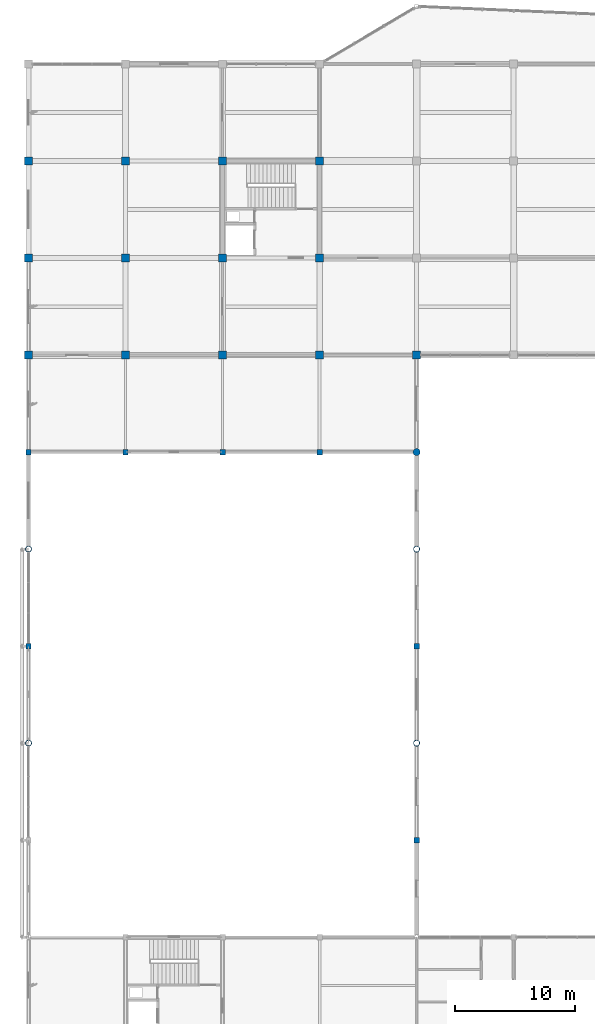
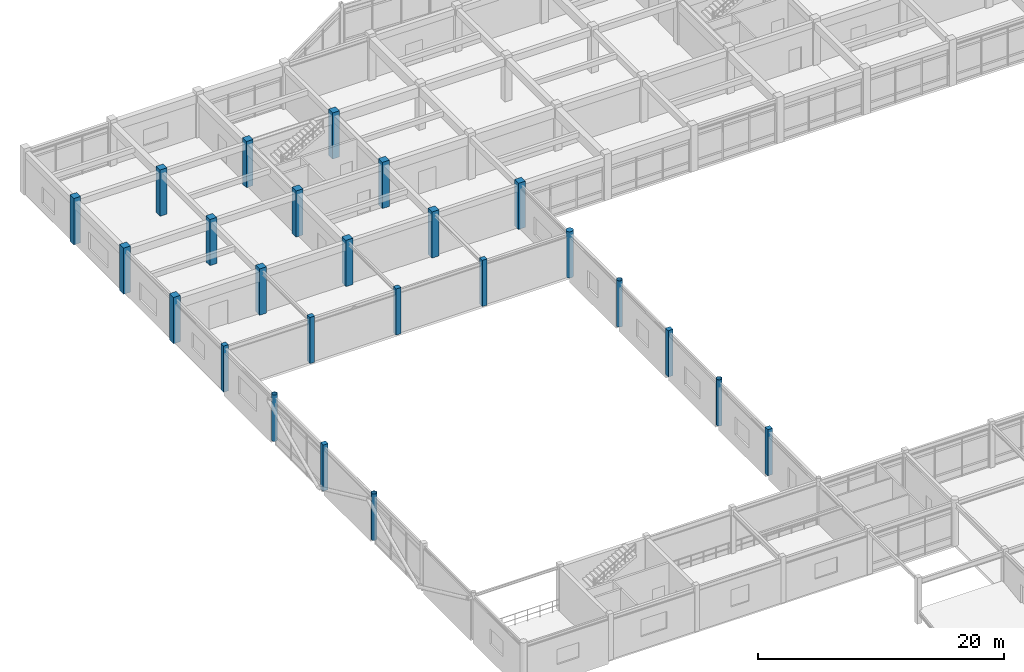
# One storey, part 5 of 93: 25 columns.
"""IFC4 building model written with IfcOpenShell, lengths in metres."""

from ifc_helpers import new_model, si_unit, direction, frame, origin, origin_2d, place, context, subcontext, project, spatial, rectangle, circle, hollow_circle, extrude, material, material_profile, profile_set, type_object, element, save


model = new_model("IFC4")

# Units and contexts
model_context = context("Model", 3, precision=1e-05, world=origin(), true_north=direction((0.0, 1.0)))
body_context = subcontext(model_context, "Body", "Model", "MODEL_VIEW")
ifc_project = project(units=[si_unit("LENGTHUNIT", "METRE"), si_unit("AREAUNIT", "SQUARE_METRE"), si_unit("VOLUMEUNIT", "CUBIC_METRE"), si_unit("PLANEANGLEUNIT", "RADIAN"), si_unit("MASSUNIT", "GRAM", prefix="KILO")], contexts=[model_context])

# Site, building, storey
site_placement = place(None, origin())
site = spatial("IfcSite", under=ifc_project, at=site_placement, CompositionType="ELEMENT")
building_placement = place(site_placement, origin())
building = spatial("IfcBuilding", under=site, at=building_placement, Name="Vaudrelin Polytechnic", CompositionType="ELEMENT")
storey_placement = place(building_placement, frame((0.0, 0.0, 5.10009765625)))
storey = spatial("IfcBuildingStorey", under=building, at=storey_placement, Name="L01", CompositionType="ELEMENT", Elevation=5.10009765625)

# Columns
ifc_material_1 = material(Name="Concrete 40 MPa", Category="concrete")
ifc_material_profile_1 = material_profile(ifc_material_1, rectangle(XDim=0.449951171875, YDim=0.449951171875, at=origin_2d()), Name="RC450x450")
ifc_profile_set_1 = profile_set([ifc_material_profile_1], Name="Concrete 40 MPa")
column_type_1 = type_object("IfcColumnType", Name="COL-C-RC450", PredefinedType="COLUMN", material=ifc_profile_set_1)
for number, where, z_axis, x_axis, name in (
    (1, (0.0, 72.89990234375, 0.0), (0.0, 0.0, 1.0), (1.0, 0.0, 0.0), "Column L01 1-10"),
    (2, (0.0, 89.10009765625, 0.0), (0.0, 0.0, 1.0), (1.0, 0.0, 0.0), "Column L01 1-12"),
    (3, (8.10009765625, 89.10009765625, 0.0), (0.0, 0.0, 1.0), (1.0, 0.0, 0.0), "Column L01 2-12"),
    (4, (16.199951171875, 89.10009765625, 0.0), (0.0, 0.0, 1.0), (1.0, 0.0, 0.0), "Column L01 3-12"),
    (5, (24.300048828125, 89.10009765625, 0.0), (0.0, 0.0, 1.0), (1.0, 0.0, 0.0), "Column L01 4-12"),
    (6, (32.39990234375, 56.699951171875, 0.0), (0.0, 0.0, 1.0), (1.0, 0.0, 0.0), "Column L01 5-8"),
    (7, (32.39990234375, 72.89990234375, 0.0), (0.0, 0.0, 1.0), (1.0, 0.0, 0.0), "Column L01 5-10"),
):
    element("IfcColumn", number, at=place(storey_placement, frame(where, z_axis=z_axis, x_axis=x_axis)), inside=storey, type_object=column_type_1, Name=name, PredefinedType="COLUMN", context=body_context, shape_type="SweptSolid", body=[
        extrude(rectangle(XDim=0.449951171875, YDim=0.449951171875, at=origin_2d()), origin(), (0.0, 0.0, 1.0), 4.58984375),
    ])
ifc_material_profile_2 = material_profile(ifc_material_1, rectangle(XDim=0.64990234375, YDim=0.64990234375, at=origin_2d()), Name="RC650x650")
ifc_profile_set_2 = profile_set([ifc_material_profile_2], Name="Concrete 40 MPa")
column_type_2 = type_object("IfcColumnType", Name="COL-C-RC650", PredefinedType="COLUMN", material=ifc_profile_set_2)
for number, where, z_axis, x_axis, name in (
    (8, (0.0, 97.199951171875, 0.0), (0.0, 0.0, 1.0), (1.0, 0.0, 0.0), "Column L01 1-13"),
    (9, (0.0, 105.300048828125, 0.0), (0.0, 0.0, 1.0), (1.0, 0.0, 0.0), "Column L01 1-14"),
    (10, (0.0, 113.39990234375, 0.0), (0.0, 0.0, 1.0), (1.0, 0.0, 0.0), "Column L01 1-15"),
    (11, (8.10009765625, 97.199951171875, 0.0), (0.0, 0.0, 1.0), (1.0, 0.0, 0.0), "Column L01 2-13"),
    (12, (8.10009765625, 105.300048828125, 0.0), (0.0, 0.0, 1.0), (1.0, 0.0, 0.0), "Column L01 2-14"),
    (13, (8.10009765625, 113.39990234375, 0.0), (0.0, 0.0, 1.0), (1.0, 0.0, 0.0), "Column L01 2-15"),
    (14, (16.199951171875, 97.199951171875, 0.0), (0.0, 0.0, 1.0), (1.0, 0.0, 0.0), "Column L01 3-13"),
    (15, (16.199951171875, 105.300048828125, 0.0), (0.0, 0.0, 1.0), (1.0, 0.0, 0.0), "Column L01 3-14"),
    (16, (16.199951171875, 113.39990234375, 0.0), (0.0, 0.0, 1.0), (1.0, 0.0, 0.0), "Column L01 3-15"),
    (17, (24.300048828125, 97.199951171875, 0.0), (0.0, 0.0, 1.0), (1.0, 0.0, 0.0), "Column L01 4-13"),
    (18, (24.300048828125, 105.300048828125, 0.0), (0.0, 0.0, 1.0), (1.0, 0.0, 0.0), "Column L01 4-14"),
    (19, (24.300048828125, 113.39990234375, 0.0), (0.0, 0.0, 1.0), (1.0, 0.0, 0.0), "Column L01 4-15"),
    (20, (32.39990234375, 97.199951171875, 0.0), (0.0, 0.0, 1.0), (1.0, 0.0, 0.0), "Column L01 5-13"),
):
    element("IfcColumn", number, at=place(storey_placement, frame(where, z_axis=z_axis, x_axis=x_axis)), inside=storey, type_object=column_type_2, Name=name, PredefinedType="COLUMN", context=body_context, shape_type="SweptSolid", body=[
        extrude(rectangle(XDim=0.64990234375, YDim=0.64990234375, at=origin_2d()), origin(), (0.0, 0.0, 1.0), 4.58984375),
    ])
ifc_material_profile_3 = material_profile(ifc_material_1, circle(Radius=0.300048828125, at=origin_2d()), Name="RCCOL600")
ifc_profile_set_3 = profile_set([ifc_material_profile_3], Name="Concrete 40 MPa")
column_type_3 = type_object("IfcColumnType", Name="COL-C-RCD600", PredefinedType="COLUMN", material=ifc_profile_set_3)
column_placement = place(storey_placement, frame((32.39990234375, 89.10009765625, 0.0), z_axis=(0.0, 0.0, 1.0), x_axis=(1.0, 0.0, 0.0)))
element("IfcColumn", 21, at=column_placement, inside=storey, type_object=column_type_3, Name="Column L01 5-12", PredefinedType="COLUMN", context=body_context, shape_type="SweptSolid", body=[
    extrude(circle(Radius=0.300048828125, at=origin_2d()), origin(), (0.0, 0.0, 1.0), 4.58984375),
])
ifc_material_2 = material(Name="Steel CSA G40.21 350WT", Category="steel")
ifc_material_profile_4 = material_profile(ifc_material_2, hollow_circle(Radius=0.25390625, WallThickness=0.01904296875, at=origin_2d()), Name="CHS508.0x19.1")
ifc_profile_set_4 = profile_set([ifc_material_profile_4], Name="Steel CSA G40.21 350WT")
column_type_4 = type_object("IfcColumnType", Name="COL-C-TR508", PredefinedType="COLUMN", material=ifc_profile_set_4)
for number, where, z_axis, x_axis, name in (
    (22, (0.0, 64.800048828125, 0.0), (0.0, 0.0, 1.0), (1.0, 0.0, 0.0), "Column L01 1-9"),
    (23, (0.0, 81.0, 0.0), (0.0, 0.0, 1.0), (1.0, 0.0, 0.0), "Column L01 1-11"),
    (24, (32.39990234375, 64.800048828125, 0.0), (0.0, 0.0, 1.0), (1.0, 0.0, 0.0), "Column L01 5-9"),
    (25, (32.39990234375, 81.0, 0.0), (0.0, 0.0, 1.0), (1.0, 0.0, 0.0), "Column L01 5-11"),
):
    element("IfcColumn", number, at=place(storey_placement, frame(where, z_axis=z_axis, x_axis=x_axis)), inside=storey, type_object=column_type_4, Name=name, PredefinedType="COLUMN", context=body_context, shape_type="SweptSolid", body=[
        extrude(hollow_circle(Radius=0.25390625, WallThickness=0.01904296875, at=origin_2d()), origin(), (0.0, 0.0, 1.0), 4.58984375),
    ])

save(model, "model.ifc")
